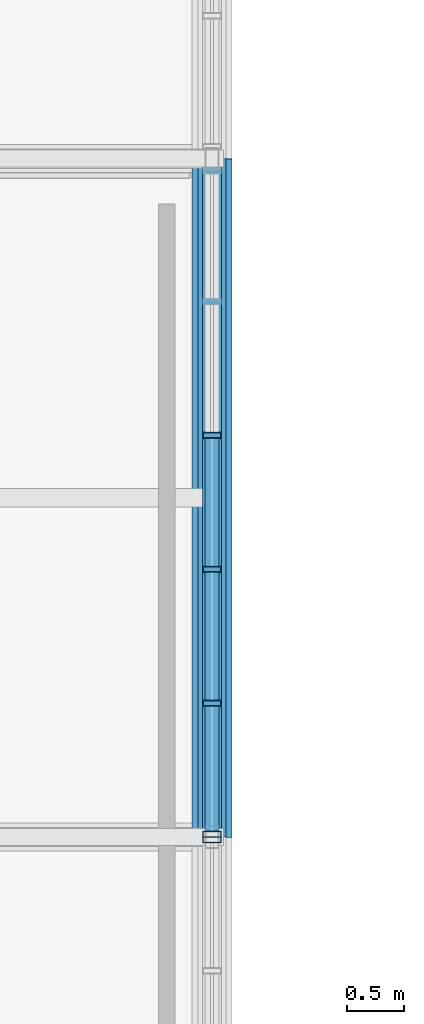
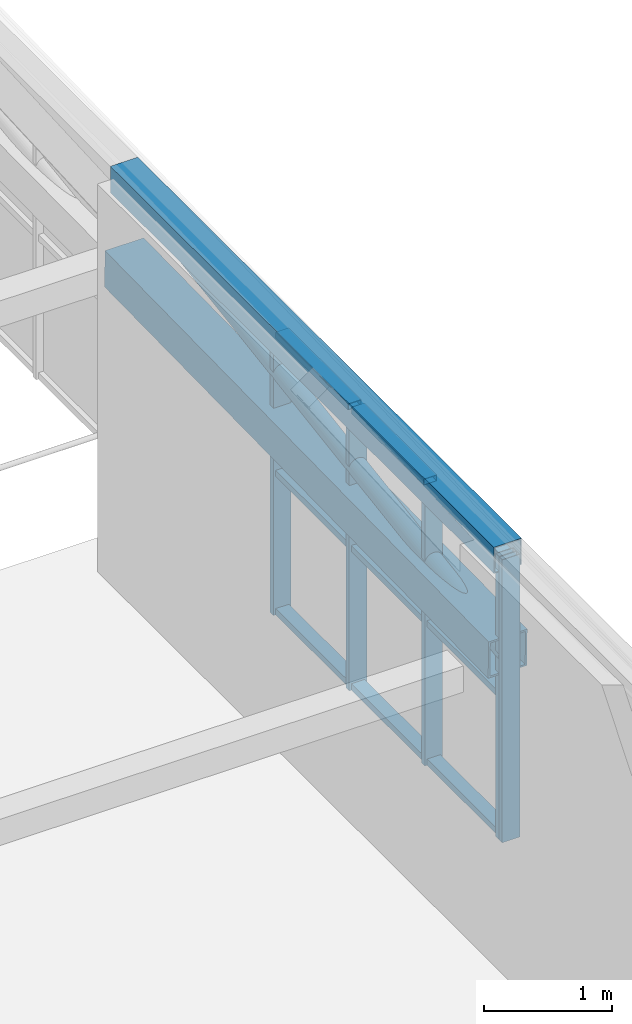
# One storey, part 218 of 324: 17 members, 2 elements without a shape of their own.
"""IFC4 building model written with IfcOpenShell, lengths in metres."""

from ifc_helpers import new_model, si_unit, direction, frame, origin, origin_2d, place, context, subcontext, project, spatial, hollow_rectangle, hollow_circle, extrude, material, layer, layer_set, material_profile, profile_set, type_object, element, aggregate, save


model = new_model("IFC4")

# Units and contexts
model_context = context("Model", 3, precision=1e-05, world=origin(), true_north=direction((0.0, 1.0)))
body_context = subcontext(model_context, "Body", "Model", "MODEL_VIEW")
ifc_project = project(units=[si_unit("LENGTHUNIT", "METRE"), si_unit("AREAUNIT", "SQUARE_METRE"), si_unit("VOLUMEUNIT", "CUBIC_METRE"), si_unit("PLANEANGLEUNIT", "RADIAN"), si_unit("MASSUNIT", "GRAM", prefix="KILO")], contexts=[model_context])

# Site, building, storey
site_placement = place(None, origin())
site = spatial("IfcSite", under=ifc_project, at=site_placement, CompositionType="ELEMENT")
building_placement = place(site_placement, origin())
building = spatial("IfcBuilding", under=site, at=building_placement, Name="Solvenia Promenade Tram Depot", CompositionType="ELEMENT")
storey_placement = place(building_placement, frame((0.0, 0.0, 4.5)))
storey = spatial("IfcBuildingStorey", under=building, at=storey_placement, Name="L01", CompositionType="ELEMENT", Elevation=4.5)

# Curtain wall, member
ifc_material_1 = material(Name="Anodized aluminium AW-6063 T6", Category="aluminium")
ifc_layer = layer(ifc_material_1, 0.159912109375, Name="Anodized aluminium AW-6063 T6", Category="aluminium")
ifc_layer_set = layer_set([ifc_layer], Name="Anodized aluminium AW-6063 T6")
curtain_wall_type = type_object("IfcCurtainWallType", Name="CW-Channel-1200", PredefinedType="NOTDEFINED", material=ifc_layer_set)
curtain_wall_1_placement = place(storey_placement, origin())
curtain_wall_1 = element("IfcCurtainWall", 1, at=curtain_wall_1_placement, inside=storey, type_object=curtain_wall_type, Name="Curtain Wall CW-V1E-01", PredefinedType="NOTDEFINED")
ifc_material_profile_1 = material_profile(ifc_material_1, hollow_rectangle(XDim=0.159912109375, YDim=0.052001953125, WallThickness=0.00390625, at=origin_2d()), Name="ALU-M1", Category="aluminium")
ifc_profile_set_1 = profile_set([ifc_material_profile_1], Name="Anodized aluminium AW-6063 T6")
member_type_1 = type_object("IfcMemberType", Name="CWM-Mullion-1", PredefinedType="MULLION", material=ifc_profile_set_1)
member_1_placement = place(storey_placement, frame((150.0, 71.97412109375, 0.699951171875), z_axis=(0.0, 0.0, 1.0), x_axis=(-1.0, 0.0, 0.0)))
member_1 = element("IfcMember", 2, at=member_1_placement, type_object=member_type_1, Name="CW-1 mullion 6", PredefinedType="MULLION", context=body_context, shape_type="SweptSolid", body=[
    extrude(hollow_rectangle(XDim=0.159912109375, YDim=0.052001953125, WallThickness=0.00390625, at=origin_2d()), origin(), (0.0, 0.0, 1.0), 2.699951171875),
])
aggregate(curtain_wall_1, [member_1])

# Curtain wall, members
curtain_wall_2_placement = place(storey_placement, origin())
curtain_wall_2 = element("IfcCurtainWall", 3, at=curtain_wall_2_placement, inside=storey, type_object=curtain_wall_type, Name="Curtain Wall CW-V1E-02", PredefinedType="NOTDEFINED")
member_2_placement = place(storey_placement, frame((150.0, 72.02587890625, 0.699951171875), z_axis=(0.0, 0.0, 1.0), x_axis=(-1.0, 0.0, 0.0)))
member_2 = element("IfcMember", 4, at=member_2_placement, type_object=member_type_1, Name="CW-1 mullion 1", PredefinedType="MULLION", context=body_context, shape_type="SweptSolid", body=[
    extrude(hollow_rectangle(XDim=0.159912109375, YDim=0.052001953125, WallThickness=0.00390625, at=origin_2d()), origin(), (0.0, 0.0, 1.0), 2.699951171875),
])
member_3_placement = place(storey_placement, frame((150.0, 73.18408203125, 0.699951171875), z_axis=(0.0, 0.0, 1.0), x_axis=(-1.0, 0.0, 0.0)))
member_3 = element("IfcMember", 5, at=member_3_placement, type_object=member_type_1, Name="CW-1 mullion 2", PredefinedType="MULLION", context=body_context, shape_type="SweptSolid", body=[
    extrude(hollow_rectangle(XDim=0.159912109375, YDim=0.052001953125, WallThickness=0.00390625, at=origin_2d()), origin(), (0.0, 0.0, 1.0), 2.699951171875),
])
member_4_placement = place(storey_placement, frame((150.0, 74.367919921875, 0.699951171875), z_axis=(0.0, 0.0, 1.0), x_axis=(-1.0, 0.0, 0.0)))
member_4 = element("IfcMember", 6, at=member_4_placement, type_object=member_type_1, Name="CW-1 mullion 3", PredefinedType="MULLION", context=body_context, shape_type="SweptSolid", body=[
    extrude(hollow_rectangle(XDim=0.159912109375, YDim=0.052001953125, WallThickness=0.00390625, at=origin_2d()), origin(), (0.0, 0.0, 1.0), 2.699951171875),
])
member_5_placement = place(storey_placement, frame((150.0, 75.552001953125, 0.699951171875), z_axis=(0.0, 0.0, 1.0), x_axis=(-1.0, 0.0, 0.0)))
member_5 = element("IfcMember", 7, at=member_5_placement, type_object=member_type_1, Name="CW-1 mullion 4", PredefinedType="MULLION", context=body_context, shape_type="SweptSolid", body=[
    extrude(hollow_rectangle(XDim=0.159912109375, YDim=0.052001953125, WallThickness=0.00390625, at=origin_2d()), origin(), (0.0, 0.0, 1.0), 2.699951171875),
])
ifc_material_profile_2 = material_profile(ifc_material_1, hollow_rectangle(XDim=0.1201171875, YDim=0.06005859375, WallThickness=0.00390625, at=origin_2d()), Name="ALU-T1", Category="aluminium")
ifc_profile_set_2 = profile_set([ifc_material_profile_2], Name="Anodized aluminium AW-6063 T6")
member_type_2 = type_object("IfcMemberType", Name="CWT-Transom-1", PredefinedType="USERDEFINED", material=ifc_profile_set_2)
member_6_placement = place(storey_placement, frame((150.0, 72.052001953125, 0.72998046875), z_axis=(0.0, 1.0, 0.0), x_axis=(-1.0, 0.0, 0.0)))
member_6 = element("IfcMember", 8, at=member_6_placement, type_object=member_type_2, Name="CW-1 transom 1.1", ObjectType="TRANSOM", PredefinedType="USERDEFINED", context=body_context, shape_type="SweptSolid", body=[
    extrude(hollow_rectangle(XDim=0.1201171875, YDim=0.06005859375, WallThickness=0.00390625, at=origin_2d()), origin(), (0.0, 0.0, 1.0), 1.10595703125),
])
member_7_placement = place(storey_placement, frame((150.0, 72.052001953125, 2.050048828125), z_axis=(0.0, 1.0, 0.0), x_axis=(-1.0, 0.0, 0.0)))
member_7 = element("IfcMember", 9, at=member_7_placement, type_object=member_type_2, Name="CW-1 transom 1.2", ObjectType="TRANSOM", PredefinedType="USERDEFINED", context=body_context, shape_type="SweptSolid", body=[
    extrude(hollow_rectangle(XDim=0.1201171875, YDim=0.06005859375, WallThickness=0.00390625, at=origin_2d()), origin(), (0.0, 0.0, 1.0), 1.10595703125),
])
member_8_placement = place(storey_placement, frame((150.0, 72.052001953125, 3.3701171875), z_axis=(0.0, 1.0, 0.0), x_axis=(-1.0, 0.0, 0.0)))
member_8 = element("IfcMember", 10, at=member_8_placement, type_object=member_type_2, Name="CW-1 transom 1.3", ObjectType="TRANSOM", PredefinedType="USERDEFINED", context=body_context, shape_type="SweptSolid", body=[
    extrude(hollow_rectangle(XDim=0.1201171875, YDim=0.06005859375, WallThickness=0.00390625, at=origin_2d()), origin(), (0.0, 0.0, 1.0), 1.10595703125),
])
member_9_placement = place(storey_placement, frame((150.0, 73.2099609375, 0.72998046875), z_axis=(0.0, 1.0, 0.0), x_axis=(-1.0, 0.0, 0.0)))
member_9 = element("IfcMember", 11, at=member_9_placement, type_object=member_type_2, Name="CW-1 transom 2.1", ObjectType="TRANSOM", PredefinedType="USERDEFINED", context=body_context, shape_type="SweptSolid", body=[
    extrude(hollow_rectangle(XDim=0.1201171875, YDim=0.06005859375, WallThickness=0.00390625, at=origin_2d()), origin(), (0.0, 0.0, 1.0), 1.132080078125),
])
member_10_placement = place(storey_placement, frame((150.0, 73.2099609375, 2.050048828125), z_axis=(0.0, 1.0, 0.0), x_axis=(-1.0, 0.0, 0.0)))
member_10 = element("IfcMember", 12, at=member_10_placement, type_object=member_type_2, Name="CW-1 transom 2.2", ObjectType="TRANSOM", PredefinedType="USERDEFINED", context=body_context, shape_type="SweptSolid", body=[
    extrude(hollow_rectangle(XDim=0.1201171875, YDim=0.06005859375, WallThickness=0.00390625, at=origin_2d()), origin(), (0.0, 0.0, 1.0), 1.132080078125),
])
member_11_placement = place(storey_placement, frame((150.0, 73.2099609375, 3.3701171875), z_axis=(0.0, 1.0, 0.0), x_axis=(-1.0, 0.0, 0.0)))
member_11 = element("IfcMember", 13, at=member_11_placement, type_object=member_type_2, Name="CW-1 transom 2.3", ObjectType="TRANSOM", PredefinedType="USERDEFINED", context=body_context, shape_type="SweptSolid", body=[
    extrude(hollow_rectangle(XDim=0.1201171875, YDim=0.06005859375, WallThickness=0.00390625, at=origin_2d()), origin(), (0.0, 0.0, 1.0), 1.132080078125),
])
member_12_placement = place(storey_placement, frame((150.0, 74.39404296875, 0.72998046875), z_axis=(0.0, 1.0, 0.0), x_axis=(-1.0, 0.0, 0.0)))
member_12 = element("IfcMember", 14, at=member_12_placement, type_object=member_type_2, Name="CW-1 transom 3.1", ObjectType="TRANSOM", PredefinedType="USERDEFINED", context=body_context, shape_type="SweptSolid", body=[
    extrude(hollow_rectangle(XDim=0.1201171875, YDim=0.06005859375, WallThickness=0.00390625, at=origin_2d()), origin(), (0.0, 0.0, 1.0), 1.1318359375),
])
member_13_placement = place(storey_placement, frame((150.0, 74.39404296875, 2.050048828125), z_axis=(0.0, 1.0, 0.0), x_axis=(-1.0, 0.0, 0.0)))
member_13 = element("IfcMember", 15, at=member_13_placement, type_object=member_type_2, Name="CW-1 transom 3.2", ObjectType="TRANSOM", PredefinedType="USERDEFINED", context=body_context, shape_type="SweptSolid", body=[
    extrude(hollow_rectangle(XDim=0.1201171875, YDim=0.06005859375, WallThickness=0.00390625, at=origin_2d()), origin(), (0.0, 0.0, 1.0), 1.1318359375),
])
member_14_placement = place(storey_placement, frame((150.0, 74.39404296875, 3.3701171875), z_axis=(0.0, 1.0, 0.0), x_axis=(-1.0, 0.0, 0.0)))
member_14 = element("IfcMember", 16, at=member_14_placement, type_object=member_type_2, Name="CW-1 transom 3.3", ObjectType="TRANSOM", PredefinedType="USERDEFINED", context=body_context, shape_type="SweptSolid", body=[
    extrude(hollow_rectangle(XDim=0.1201171875, YDim=0.06005859375, WallThickness=0.00390625, at=origin_2d()), origin(), (0.0, 0.0, 1.0), 1.1318359375),
])
aggregate(curtain_wall_2, [member_2, member_3, member_4, member_5, member_6, member_7, member_8, member_9, member_10, member_11, member_12, member_13, member_14])

# Members
ifc_material_2 = material(Name="Structural steel ASTM A500 Gr. C", Category="steel")
ifc_material_profile_3 = material_profile(ifc_material_2, hollow_rectangle(XDim=0.25, YDim=0.25, WallThickness=0.010009765625, at=origin_2d()), Name="HSS250x250x10", Category="steel")
ifc_profile_set_3 = profile_set([ifc_material_profile_3], Name="Structural steel ASTM A500 Gr. C")
member_type_3 = type_object("IfcMemberType", Name="Chord-HSS250x250x10", PredefinedType="CHORD", material=ifc_profile_set_3)
member_15_placement = place(storey_placement, frame((150.0, 72.0, 3.3798828125), z_axis=(0.0, 1.0, 0.0), x_axis=(-1.0, 0.0, 0.0)))
element("IfcMember", 17, at=member_15_placement, inside=storey, type_object=member_type_3, Name="Arched Truss T21 Upper Chord S02", PredefinedType="CHORD", context=body_context, shape_type="SweptSolid", body=[
    extrude(hollow_rectangle(XDim=0.25, YDim=0.25, WallThickness=0.010009765625, at=origin_2d()), origin(), (0.0, 0.0, 1.0), 6.0),
])
ifc_material_profile_4 = material_profile(ifc_material_2, hollow_rectangle(XDim=0.35009765625, YDim=0.35009765625, WallThickness=0.01611328125, at=origin_2d()), Name="HSS350x350x16", Category="steel")
ifc_profile_set_4 = profile_set([ifc_material_profile_4], Name="Structural steel ASTM A500 Gr. C")
member_type_4 = type_object("IfcMemberType", Name="Chord-HSS350x350x16", PredefinedType="CHORD", material=ifc_profile_set_4)
member_16_placement = place(storey_placement, frame((150.0, 72.0, 2.446044921875), z_axis=(0.0, 0.999866908707, 0.016314560156), x_axis=(-1.0, 0.0, 0.0)))
element("IfcMember", 18, at=member_16_placement, inside=storey, type_object=member_type_4, Name="Arched Truss T21 Bottom Chord S02", PredefinedType="CHORD", context=body_context, shape_type="SweptSolid", body=[
    extrude(hollow_rectangle(XDim=0.35009765625, YDim=0.35009765625, WallThickness=0.01611328125, at=origin_2d()), origin(), (0.0, 0.0, 1.0), 6.000732421875),
])
ifc_material_profile_5 = material_profile(ifc_material_2, hollow_circle(Radius=0.084228515625, WallThickness=0.008056640625, at=origin_2d()), Name="CHS168.3x8", Category="steel")
ifc_profile_set_5 = profile_set([ifc_material_profile_5], Name="Structural steel ASTM A500 Gr. C")
member_type_5 = type_object("IfcMemberType", Name="WebDiag-CHS168x8", PredefinedType="BRACE", material=ifc_profile_set_5)
member_17_placement = place(storey_placement, frame((150.0, 72.0, 2.446044921875), z_axis=(0.0, 0.9881038455, 0.153788135133), x_axis=(-1.0, 0.0, 0.0)))
element("IfcMember", 19, at=member_17_placement, inside=storey, type_object=member_type_5, Name="Arched Truss T21 Web Diagonal S02", PredefinedType="BRACE", context=body_context, shape_type="SweptSolid", body=[
    extrude(hollow_circle(Radius=0.084228515625, WallThickness=0.008056640625, at=origin_2d()), origin(), (0.0, 0.0, 1.0), 6.072265625),
])

save(model, "model.ifc")
